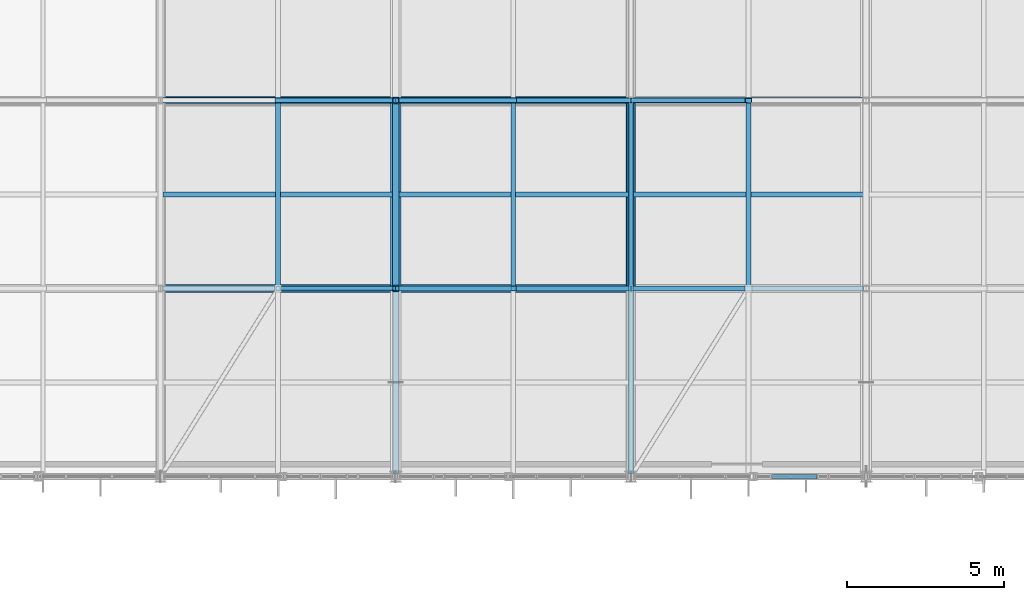
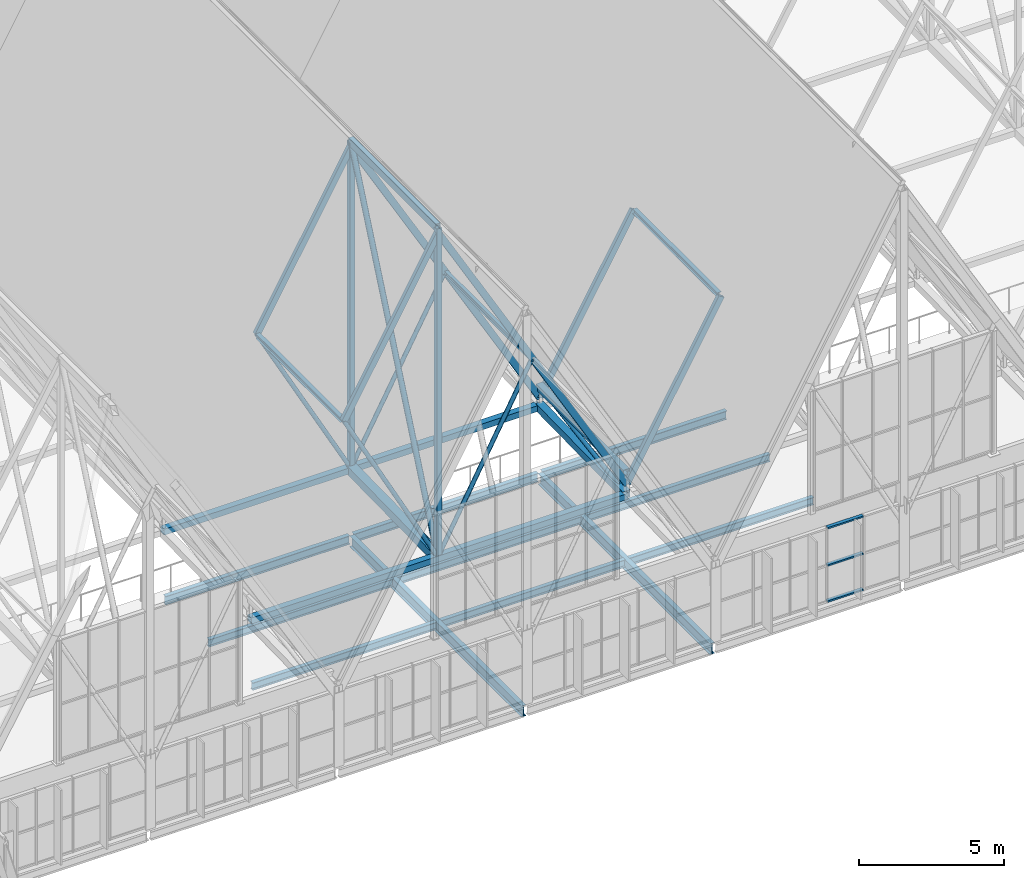
# One storey, part 126 of 324: 25 members, 14 beams, 1 element without a shape of its own.
"""IFC4 building model written with IfcOpenShell, lengths in metres."""

import ifcopenshell
import ifcopenshell.guid

model = None  # the IFC model being written
_history = None  # IfcOwnerHistory: only IFC2X3 demands one
_inside = {}  # id of a spatial element -> (the spatial element, [elements in it])
_under = {}  # id of a project, library or spatial element -> (it, [spatial elements below it])
_declared = {}  # id of a project -> (the project, [libraries it declares])
_typed = {}  # id of a type object -> (the type object, [elements of that type])
_made_of = {}  # id of a material, layer set ... -> (it, [elements and type objects made of it])


def new_model(schema):
    """Start an empty IFC model of exactly this schema.

    Asked for "IFC4X3", IfcOpenShell would pick the latest addendum, in which some entities
    have other attributes; the version numbers below select the first issue.
    IFC2X3 requires an IfcOwnerHistory on every rooted entity: one is made here for all.
    """
    global model, _history
    if schema == "IFC4X3":
        model = ifcopenshell.file(schema_version=(4, 3, 0, 0))
    else:
        model = ifcopenshell.file(schema=schema)
    _inside.clear()
    _under.clear()
    _declared.clear()
    _typed.clear()
    _made_of.clear()
    _history = None
    if model.schema == "IFC2X3":
        org = make("IfcOrganization", Name="unknown")
        user = make(
            "IfcPersonAndOrganization",
            ThePerson=make("IfcPerson", FamilyName="unknown"),
            TheOrganization=org,
        )
        app = make(
            "IfcApplication",
            ApplicationDeveloper=org,
            Version="unknown",
            ApplicationFullName="unknown",
            ApplicationIdentifier="unknown",
        )
        _history = make(
            "IfcOwnerHistory",
            OwningUser=user,
            OwningApplication=app,
            ChangeAction="ADDED",
            CreationDate=0,
        )
    return model


def make(cls, **values):
    """One entity of the class cls with the attributes given. An attribute that is None is left unset."""
    return model.create_entity(
        cls, **{name: value for name, value in values.items() if value is not None}
    )


def rooted(cls, **values):
    """An entity with a GlobalId (a new one), such as an element, a storey or a relation."""
    return make(cls, GlobalId=ifcopenshell.guid.new(), OwnerHistory=_history, **values)


def si_unit(unit_type, name, prefix=None):
    """IfcSIUnit, for example si_unit("LENGTHUNIT", "METRE", prefix="MILLI")."""
    return make("IfcSIUnit", UnitType=unit_type, Prefix=prefix, Name=name)


def assignment(units):
    """IfcUnitAssignment: the units of a project."""
    return None if units is None else make("IfcUnitAssignment", Units=units)


def point(xyz):
    """IfcCartesianPoint."""
    return None if xyz is None else make("IfcCartesianPoint", Coordinates=xyz)


def direction(xyz):
    """IfcDirection."""
    return None if xyz is None else make("IfcDirection", DirectionRatios=xyz)


def frame(location, z_axis=None, x_axis=None):
    """IfcAxis2Placement3D, a coordinate frame: its origin and axes. An axis left out is left unset."""
    return make(
        "IfcAxis2Placement3D",
        Location=point(location),
        Axis=direction(z_axis),
        RefDirection=direction(x_axis),
    )


def frame_2d(location, x_axis=None):
    """IfcAxis2Placement2D, a coordinate frame in the plane: its origin and x axis."""
    return make(
        "IfcAxis2Placement2D", Location=point(location), RefDirection=direction(x_axis)
    )


def origin():
    """The frame at (0, 0, 0) with its axes left unset."""
    return frame((0.0, 0.0, 0.0))


def origin_2d():
    """The frame at (0, 0) in the plane with its x axis left unset."""
    return frame_2d((0.0, 0.0))


def place(relative_to, where):
    """IfcLocalPlacement: puts the frame where relative to a parent placement (None: the world)."""
    return make(
        "IfcLocalPlacement", PlacementRelTo=relative_to, RelativePlacement=where
    )


def context(
    kind, dimensions, precision=None, world=None, true_north=None, identifier=None
):
    """IfcGeometricRepresentationContext, for example the 3D "Model" context."""
    return make(
        "IfcGeometricRepresentationContext",
        ContextIdentifier=identifier,
        ContextType=kind,
        CoordinateSpaceDimension=dimensions,
        Precision=precision,
        WorldCoordinateSystem=world,
        TrueNorth=true_north,
    )


def subcontext(parent, identifier, kind, view, scale=None):
    """IfcGeometricRepresentationSubContext, for example "Body" below "Model"."""
    return make(
        "IfcGeometricRepresentationSubContext",
        ContextIdentifier=identifier,
        ContextType=kind,
        ParentContext=parent,
        TargetScale=scale,
        TargetView=view,
    )


def project(units=None, contexts=None):
    """IfcProject with its units and contexts."""
    return rooted(
        "IfcProject",
        Name="project",
        RepresentationContexts=contexts,
        UnitsInContext=assignment(units),
    )


def spatial(cls, under=None, at=None, **own):
    """A site, building, storey or space (cls), placed at a placement, below another one or the project."""
    s = rooted(cls, ObjectPlacement=at, **own)
    if under is not None:
        _under.setdefault(under.id(), (under, []))[1].append(s)
    return s


def profile(cls, at=None, kind="AREA", **sizes):
    """A parametric profile (cls). Its sizes go by their IFC names, for example OverallWidth=200.0."""
    return make(cls, ProfileType=kind, Position=at, **sizes)


def hollow_rectangle(**sizes):
    """IfcRectangleHollowProfileDef."""
    return profile("IfcRectangleHollowProfileDef", **sizes)


def hollow_circle(**sizes):
    """IfcCircleHollowProfileDef."""
    return profile("IfcCircleHollowProfileDef", **sizes)


def i_section(**sizes):
    """IfcIShapeProfileDef."""
    return profile("IfcIShapeProfileDef", **sizes)


def extrude(swept, where, along, depth):
    """IfcExtrudedAreaSolid: the profile swept, set in the frame where, extruded along a direction by depth."""
    return make(
        "IfcExtrudedAreaSolid",
        SweptArea=swept,
        Position=where,
        ExtrudedDirection=direction(along),
        Depth=depth,
    )


def shape(context_of_items, identifier, shape_type, items):
    """IfcShapeRepresentation: the items that make up one representation, for example the "Body"."""
    return make(
        "IfcShapeRepresentation",
        ContextOfItems=context_of_items,
        RepresentationIdentifier=identifier,
        RepresentationType=shape_type,
        Items=items,
    )


def material(Name=None, Category=None):
    """IfcMaterial."""
    return make("IfcMaterial", Name=Name, Category=Category)


def layer(
    of_material, thickness, ventilated=None, Name=None, Category=None, Priority=None
):
    """IfcMaterialLayer: one layer of a wall or slab, of a material (None: an air gap)."""
    return make(
        "IfcMaterialLayer",
        Material=of_material,
        LayerThickness=thickness,
        IsVentilated=ventilated,
        Name=Name,
        Category=Category,
        Priority=Priority,
    )


def layer_set(layers, Name=None):
    """IfcMaterialLayerSet."""
    return make("IfcMaterialLayerSet", MaterialLayers=layers, LayerSetName=Name)


def material_profile(
    of_material, cross_section, Name=None, Category=None, Priority=None
):
    """IfcMaterialProfile: a cross section and its material."""
    return make(
        "IfcMaterialProfile",
        Name=Name,
        Material=of_material,
        Profile=cross_section,
        Priority=Priority,
        Category=Category,
    )


def profile_set(profiles, Name=None, composite=None):
    """IfcMaterialProfileSet."""
    return make(
        "IfcMaterialProfileSet",
        Name=Name,
        MaterialProfiles=profiles,
        CompositeProfile=composite,
    )


def made_of(thing, what):
    """Note that an element or type object is made of a material, layer set ...; save() writes the relation."""
    if what is not None:
        _made_of.setdefault(what.id(), (what, []))[1].append(thing)
    return thing


def type_object(cls, material=None, **own):
    """A type object (cls), such as IfcWallType, which elements share."""
    return made_of(rooted(cls, **own), material)


def element(
    cls,
    number,
    at=None,
    inside=None,
    cuts=None,
    type_object=None,
    material=None,
    context=None,
    identifier="Body",
    shape_type=None,
    held_by="IfcProductDefinitionShape",
    body=None,
    shapes=None,
    **own,
):
    """One element of the class cls, such as IfcWall. Its Tag is "e" and its number.

    at: its placement. inside: the storey or other place that contains it. cuts: it is an
    opening in that element (IfcRelVoidsElement). A single representation is given by context,
    identifier, shape_type and body (its items); several are given by shapes. held_by: the class
    of the entity that holds the representations. save() writes the other relations.
    """
    e = rooted(cls, Tag="e%d" % number, ObjectPlacement=at, **own)
    if body is not None:
        shapes = [shape(context, identifier, shape_type, body)]
    if shapes is not None:
        e.Representation = make(held_by, Representations=shapes)
    if inside is not None:
        _inside.setdefault(inside.id(), (inside, []))[1].append(e)
    if cuts is not None:
        rooted(
            "IfcRelVoidsElement", RelatingBuildingElement=cuts, RelatedOpeningElement=e
        )
    if type_object is not None:
        _typed.setdefault(type_object.id(), (type_object, []))[1].append(e)
    return made_of(e, material)


def aggregate(whole, parts):
    """IfcRelAggregates: a whole, such as a stair, and the parts it consists of."""
    return rooted("IfcRelAggregates", RelatingObject=whole, RelatedObjects=parts)


def save(model, path):
    """Write the relations noted so far, then the file.

    IfcRelAggregates (storeys below a building ...), IfcRelContainedInSpatialStructure (elements
    in a storey), IfcRelDefinesByType, IfcRelAssociatesMaterial and IfcRelDeclares: one each for
    every whole, place, type object, material and project.
    """
    for whole, parts in _under.values():
        aggregate(whole, parts)
    for where, things in _inside.values():
        rooted(
            "IfcRelContainedInSpatialStructure",
            RelatedElements=things,
            RelatingStructure=where,
        )
    for kind, things in _typed.values():
        rooted("IfcRelDefinesByType", RelatedObjects=things, RelatingType=kind)
    for what, things in _made_of.values():
        rooted("IfcRelAssociatesMaterial", RelatedObjects=things, RelatingMaterial=what)
    for by, libraries in _declared.values():
        rooted("IfcRelDeclares", RelatingContext=by, RelatedDefinitions=libraries)
    model.write(path)


model = new_model("IFC4")

# Units and contexts
model_context = context("Model", 3, precision=1e-05, world=origin(), true_north=direction((0.0, 1.0)))
body_context = subcontext(model_context, "Body", "Model", "MODEL_VIEW")
ifc_project = project(units=[si_unit("LENGTHUNIT", "METRE"), si_unit("AREAUNIT", "SQUARE_METRE"), si_unit("VOLUMEUNIT", "CUBIC_METRE"), si_unit("PLANEANGLEUNIT", "RADIAN"), si_unit("MASSUNIT", "GRAM", prefix="KILO")], contexts=[model_context])

# Site, building, storey
site_placement = place(None, origin())
site = spatial("IfcSite", under=ifc_project, at=site_placement, CompositionType="ELEMENT")
building_placement = place(site_placement, origin())
building = spatial("IfcBuilding", under=site, at=building_placement, Name="Solvenia Promenade Tram Depot", CompositionType="ELEMENT")
storey_placement = place(building_placement, frame((0.0, 0.0, 4.5)))
storey = spatial("IfcBuildingStorey", under=building, at=storey_placement, Name="L01", CompositionType="ELEMENT", Elevation=4.5)

# Beams
ifc_material_1 = material(Name="Structural steel ASTM A992 Gr. 50", Category="steel")
ifc_material_profile_1 = material_profile(ifc_material_1, i_section(OverallWidth=0.19091796875, OverallDepth=0.4599609375, WebThickness=0.010009765625, FlangeThickness=0.01611328125, FilletRadius=0.012939453125, at=origin_2d()), Name="W460x82", Category="steel")
ifc_profile_set_1 = profile_set([ifc_material_profile_1], Name="Structural steel ASTM A992 Gr. 50")
beam_type_1 = type_object("IfcBeamType", Name="Beam-W460x82", PredefinedType="BEAM", material=ifc_profile_set_1)
for number, where, z_axis, x_axis, name in (
    (1, (67.5, 66.0849609375, -0.449951171875), (0.0, 1.0, 0.0), (-1.0, 0.0, 0.0), "Transverse Girder BM-L01-0050"),
    (2, (75.0, 66.0849609375, -0.449951171875), (0.0, 1.0, 0.0), (-1.0, 0.0, 0.0), "Transverse Girder BM-L01-0051"),
):
    element("IfcBeam", number, at=place(storey_placement, frame(where, z_axis=z_axis, x_axis=x_axis)), inside=storey, type_object=beam_type_1, Name=name, PredefinedType="BEAM", context=body_context, shape_type="SweptSolid", body=[
        extrude(i_section(OverallWidth=0.19091796875, OverallDepth=0.4599609375, WebThickness=0.010009765625, FlangeThickness=0.01611328125, FilletRadius=0.012939453125, at=origin_2d()), origin(), (0.0, 0.0, 1.0), 11.830078125),
    ])

# Member
ifc_material_2 = material(Name="Structural steel ASTM A500 Gr. C", Category="steel")
ifc_material_profile_2 = material_profile(ifc_material_2, hollow_circle(Radius=0.109619140625, WallThickness=0.008056640625, at=origin_2d()), Name="CHS219.1x8", Category="steel")
ifc_profile_set_2 = profile_set([ifc_material_profile_2], Name="Structural steel ASTM A500 Gr. C")
member_type_1 = type_object("IfcMemberType", Name="Brace-CHS219x8", PredefinedType="BRACE", material=ifc_profile_set_2)
member_1_placement = place(storey_placement, frame((67.5, 72.0, 2.446044921875), z_axis=(0.0, 0.396934686746, 0.917846857846), x_axis=(-1.0, 0.0, 0.0)))
element("IfcMember", 3, at=member_1_placement, inside=storey, type_object=member_type_1, Name="Arched Truss T10 Web Diagonal S02", PredefinedType="BRACE", context=body_context, shape_type="SweptSolid", body=[
    extrude(hollow_circle(Radius=0.109619140625, WallThickness=0.008056640625, at=origin_2d()), origin(), (0.0, 0.0, 1.0), 15.11572265625),
])

# Curtain wall, members
ifc_material_3 = material(Name="Anodized aluminium AW-6063 T6", Category="aluminium")
ifc_layer = layer(ifc_material_3, 0.159912109375, Name="Anodized aluminium AW-6063 T6", Category="aluminium")
ifc_layer_set = layer_set([ifc_layer], Name="Anodized aluminium AW-6063 T6")
curtain_wall_type = type_object("IfcCurtainWallType", Name="CW-Channel-1500", PredefinedType="NOTDEFINED", material=ifc_layer_set)
curtain_wall_placement = place(storey_placement, origin())
curtain_wall = element("IfcCurtainWall", 4, at=curtain_wall_placement, inside=storey, type_object=curtain_wall_type, Name="Curtain Wall CW-V1S1-05", PredefinedType="NOTDEFINED")
ifc_material_profile_3 = material_profile(ifc_material_3, hollow_rectangle(XDim=0.139892578125, YDim=0.06494140625, WallThickness=0.00390625, at=origin_2d()), Name="ALU-T2", Category="aluminium")
ifc_profile_set_3 = profile_set([ifc_material_profile_3], Name="Anodized aluminium AW-6063 T6")
member_type_2 = type_object("IfcMemberType", Name="CWT-Transom-2", PredefinedType="USERDEFINED", material=ifc_profile_set_3)
member_2_placement = place(storey_placement, frame((79.509033203125, 66.0, 0.032470703125), z_axis=(1.0, 0.0, 0.0), x_axis=(0.0, 1.0, 0.0)))
member_2 = element("IfcMember", 5, at=member_2_placement, type_object=member_type_2, Name="CW-2 transom 4.1", ObjectType="TRANSOM", PredefinedType="USERDEFINED", context=body_context, shape_type="SweptSolid", body=[
    extrude(hollow_rectangle(XDim=0.139892578125, YDim=0.06494140625, WallThickness=0.00390625, at=origin_2d()), origin(), (0.0, 0.0, 1.0), 1.41796875),
])
member_3_placement = place(storey_placement, frame((79.509033203125, 66.0, 1.550048828125), z_axis=(1.0, 0.0, 0.0), x_axis=(0.0, 1.0, 0.0)))
member_3 = element("IfcMember", 6, at=member_3_placement, type_object=member_type_2, Name="CW-2 transom 4.2", ObjectType="TRANSOM", PredefinedType="USERDEFINED", context=body_context, shape_type="SweptSolid", body=[
    extrude(hollow_rectangle(XDim=0.139892578125, YDim=0.06494140625, WallThickness=0.00390625, at=origin_2d()), origin(), (0.0, 0.0, 1.0), 1.41796875),
])
member_4_placement = place(storey_placement, frame((79.509033203125, 66.0, 3.117431640625), z_axis=(1.0, 0.0, 0.0), x_axis=(0.0, 1.0, 0.0)))
member_4 = element("IfcMember", 7, at=member_4_placement, type_object=member_type_2, Name="CW-2 transom 4.3", ObjectType="TRANSOM", PredefinedType="USERDEFINED", context=body_context, shape_type="SweptSolid", body=[
    extrude(hollow_rectangle(XDim=0.139892578125, YDim=0.06494140625, WallThickness=0.00390625, at=origin_2d()), origin(), (0.0, 0.0, 1.0), 1.41796875),
])
aggregate(curtain_wall, [member_2, member_3, member_4])

# Members
ifc_material_profile_4 = material_profile(ifc_material_2, hollow_rectangle(XDim=0.14990234375, YDim=0.25, WallThickness=0.010009765625, at=origin_2d()), Name="HSS250x150x10", Category="steel")
ifc_profile_set_4 = profile_set([ifc_material_profile_4], Name="Structural steel ASTM A500 Gr. C")
member_type_3 = type_object("IfcMemberType", Name="Chord-HSS250x150x10", PredefinedType="CHORD", material=ifc_profile_set_4)
for number, where, z_axis, x_axis, name in (
    (8, (63.75, 72.0, 9.501220703125), (0.494861595532, 0.0, 0.868971806946), (0.0, 1.0, 0.0), "Zigzag Gable 05 West Upper Rafter"),
    (9, (67.5, 72.0, 16.086181640625), (0.494861595532, 0.0, -0.868971806946), (0.0, 1.0, 0.0), "Zigzag Gable 05 East Upper Rafter"),
    (10, (71.25, 72.0, 9.501220703125), (0.494861595532, 0.0, -0.868971806946), (0.0, 1.0, 0.0), "Zigzag Gable 05 East Lower Rafter"),
    (11, (63.75, 78.0, 9.501220703125), (0.494861595532, 0.0, 0.868971806946), (0.0, 1.0, 0.0), "Zigzag Gable 05 West Upper Rafter"),
    (12, (67.5, 78.0, 16.086181640625), (0.494861595532, 0.0, -0.868971806946), (0.0, 1.0, 0.0), "Zigzag Gable 05 East Upper Rafter"),
    (13, (71.25, 78.0, 9.501220703125), (0.494861595532, 0.0, -0.868971806946), (0.0, 1.0, 0.0), "Zigzag Gable 05 East Lower Rafter"),
    (14, (75.0, 72.0, 2.916259765625), (0.494861595532, 0.0, 0.868971806946), (0.0, 1.0, 0.0), "Zigzag Gable 06 West Lower Rafter"),
    (15, (75.0, 78.0, 2.916259765625), (0.494861595532, 0.0, 0.868971806946), (0.0, 1.0, 0.0), "Zigzag Gable 06 West Lower Rafter"),
):
    element("IfcMember", number, at=place(storey_placement, frame(where, z_axis=z_axis, x_axis=x_axis)), inside=storey, type_object=member_type_3, Name=name, PredefinedType="CHORD", context=body_context, shape_type="SweptSolid", body=[
        extrude(hollow_rectangle(XDim=0.14990234375, YDim=0.25, WallThickness=0.010009765625, at=origin_2d()), origin(), (0.0, 0.0, 1.0), 7.577880859375),
    ])
ifc_material_profile_5 = material_profile(ifc_material_2, hollow_rectangle(XDim=0.25, YDim=0.25, WallThickness=0.010009765625, at=origin_2d()), Name="HSS250x250x10", Category="steel")
ifc_profile_set_5 = profile_set([ifc_material_profile_5], Name="Structural steel ASTM A500 Gr. C")
member_type_4 = type_object("IfcMemberType", Name="Chord-HSS250x250x10", PredefinedType="CHORD", material=ifc_profile_set_5)
member_5_placement = place(storey_placement, frame((75.0, 72.0, 3.3798828125), z_axis=(0.0, 1.0, 0.0), x_axis=(-1.0, 0.0, 0.0)))
element("IfcMember", 16, at=member_5_placement, inside=storey, type_object=member_type_4, Name="Arched Truss T11 Upper Chord S02", PredefinedType="CHORD", context=body_context, shape_type="SweptSolid", body=[
    extrude(hollow_rectangle(XDim=0.25, YDim=0.25, WallThickness=0.010009765625, at=origin_2d()), origin(), (0.0, 0.0, 1.0), 6.0),
])
for number, where, z_axis, x_axis, name in (
    (17, (60.0, 72.0, 2.446044921875), (1.0, 0.0, 0.0), (0.0, 1.0, 0.0), "Bottom-Chord Catenary Lateral Tie 037"),
    (18, (60.0, 78.0, 2.5439453125), (1.0, 0.0, 0.0), (0.0, 1.0, 0.0), "Bottom-Chord Catenary Lateral Tie 038"),
):
    element("IfcMember", number, at=place(storey_placement, frame(where, z_axis=z_axis, x_axis=x_axis)), inside=storey, type_object=member_type_4, Name=name, PredefinedType="CHORD", context=body_context, shape_type="SweptSolid", body=[
        extrude(hollow_rectangle(XDim=0.25, YDim=0.25, WallThickness=0.010009765625, at=origin_2d()), origin(), (0.0, 0.0, 1.0), 15.0),
    ])
ifc_material_profile_6 = material_profile(ifc_material_2, hollow_rectangle(XDim=0.199951171875, YDim=0.300048828125, WallThickness=0.012451171875, at=origin_2d()), Name="HSS300x200x12.5", Category="steel")
ifc_profile_set_6 = profile_set([ifc_material_profile_6], Name="Structural steel ASTM A500 Gr. C")
member_type_5 = type_object("IfcMemberType", Name="Chord-HSS300x200x12", PredefinedType="CHORD", material=ifc_profile_set_6)
member_6_placement = place(storey_placement, frame((67.5, 72.0, 16.320068359375), z_axis=(0.0, 1.0, 0.0), x_axis=(-1.0, 0.0, 0.0)))
element("IfcMember", 19, at=member_6_placement, inside=storey, type_object=member_type_5, Name="Arched Truss T10 Upper Chord S02", PredefinedType="CHORD", context=body_context, shape_type="SweptSolid", body=[
    extrude(hollow_rectangle(XDim=0.199951171875, YDim=0.300048828125, WallThickness=0.012451171875, at=origin_2d()), origin(), (0.0, 0.0, 1.0), 6.0),
])
ifc_material_profile_7 = material_profile(ifc_material_2, hollow_rectangle(XDim=0.300048828125, YDim=0.300048828125, WallThickness=0.012451171875, at=origin_2d()), Name="HSS300x300x12.5", Category="steel")
ifc_profile_set_7 = profile_set([ifc_material_profile_7], Name="Structural steel ASTM A500 Gr. C")
member_type_6 = type_object("IfcMemberType", Name="Chord-HSS300x300x12", PredefinedType="CHORD", material=ifc_profile_set_7)
member_7_placement = place(storey_placement, frame((75.0, 72.0, 2.446044921875), z_axis=(0.0, 0.999866908707, 0.016314560156), x_axis=(-1.0, 0.0, 0.0)))
element("IfcMember", 20, at=member_7_placement, inside=storey, type_object=member_type_6, Name="Arched Truss T11 Bottom Chord S02", PredefinedType="CHORD", context=body_context, shape_type="SweptSolid", body=[
    extrude(hollow_rectangle(XDim=0.300048828125, YDim=0.300048828125, WallThickness=0.012451171875, at=origin_2d()), origin(), (0.0, 0.0, 1.0), 6.000732421875),
])
ifc_material_profile_8 = material_profile(ifc_material_2, hollow_rectangle(XDim=0.35009765625, YDim=0.35009765625, WallThickness=0.01611328125, at=origin_2d()), Name="HSS350x350x16", Category="steel")
ifc_profile_set_8 = profile_set([ifc_material_profile_8], Name="Structural steel ASTM A500 Gr. C")
member_type_7 = type_object("IfcMemberType", Name="Chord-HSS350x350x16", PredefinedType="CHORD", material=ifc_profile_set_8)
member_8_placement = place(storey_placement, frame((67.5, 72.0, 2.446044921875), z_axis=(0.0, 0.999866908707, 0.016314560156), x_axis=(-1.0, 0.0, 0.0)))
element("IfcMember", 21, at=member_8_placement, inside=storey, type_object=member_type_7, Name="Arched Truss T10 Bottom Chord S02", PredefinedType="CHORD", context=body_context, shape_type="SweptSolid", body=[
    extrude(hollow_rectangle(XDim=0.35009765625, YDim=0.35009765625, WallThickness=0.01611328125, at=origin_2d()), origin(), (0.0, 0.0, 1.0), 6.000732421875),
])

# Beams
ifc_material_profile_9 = material_profile(ifc_material_1, i_section(OverallWidth=0.166015625, OverallDepth=0.31298828125, WebThickness=0.006591796875, FlangeThickness=0.01123046875, FilletRadius=0.010009765625, at=origin_2d()), Name="W310x45", Category="steel")
ifc_profile_set_9 = profile_set([ifc_material_profile_9], Name="Structural steel ASTM A992 Gr. 50")
beam_type_2 = type_object("IfcBeamType", Name="Joist-W310x45", PredefinedType="JOIST", material=ifc_profile_set_9)
for number, where, z_axis, x_axis, name in (
    (22, (60.0849609375, 72.0, -0.37646484375), (1.0, 0.0, 0.0), (0.0, 1.0, 0.0), "Secondary Floor Joist BM-L01-0086"),
    (23, (60.0849609375, 75.0, -0.37646484375), (1.0, 0.0, 0.0), (0.0, 1.0, 0.0), "Secondary Floor Joist BM-L01-0087"),
    (24, (67.5849609375, 72.0, -0.37646484375), (1.0, 0.0, 0.0), (0.0, 1.0, 0.0), "Secondary Floor Joist BM-L01-0089"),
    (25, (67.5849609375, 75.0, -0.37646484375), (1.0, 0.0, 0.0), (0.0, 1.0, 0.0), "Secondary Floor Joist BM-L01-0090"),
    (26, (75.0849609375, 72.0, -0.37646484375), (1.0, 0.0, 0.0), (0.0, 1.0, 0.0), "Secondary Floor Joist BM-L01-0092"),
    (27, (75.0849609375, 75.0, -0.37646484375), (1.0, 0.0, 0.0), (0.0, 1.0, 0.0), "Secondary Floor Joist BM-L01-0093"),
):
    element("IfcBeam", number, at=place(storey_placement, frame(where, z_axis=z_axis, x_axis=x_axis)), inside=storey, type_object=beam_type_2, Name=name, PredefinedType="JOIST", context=body_context, shape_type="SweptSolid", body=[
        extrude(i_section(OverallWidth=0.166015625, OverallDepth=0.31298828125, WebThickness=0.006591796875, FlangeThickness=0.01123046875, FilletRadius=0.010009765625, at=origin_2d()), origin(), (0.0, 0.0, 1.0), 7.330078125),
    ])

# Members
ifc_material_profile_10 = material_profile(ifc_material_2, hollow_rectangle(XDim=0.199951171875, YDim=0.199951171875, WallThickness=0.010009765625, at=origin_2d()), Name="HSS200x200x10", Category="steel")
ifc_profile_set_10 = profile_set([ifc_material_profile_10], Name="Structural steel ASTM A500 Gr. C")
member_type_8 = type_object("IfcMemberType", Name="Post-HSS200x200x10", PredefinedType="POST", material=ifc_profile_set_10)
member_9_placement = place(storey_placement, frame((67.5, 72.0, 2.446044921875), z_axis=(0.0, 0.0, 1.0), x_axis=(1.0, 0.0, 0.0)))
element("IfcMember", 28, at=member_9_placement, inside=storey, type_object=member_type_8, Name="Arched Truss T10 Web Post S01", PredefinedType="POST", context=body_context, shape_type="SweptSolid", body=[
    extrude(hollow_rectangle(XDim=0.199951171875, YDim=0.199951171875, WallThickness=0.010009765625, at=origin_2d()), origin(), (0.0, 0.0, 1.0), 13.8740234375),
])
member_10_placement = place(storey_placement, frame((67.5, 78.0, 2.5439453125), z_axis=(0.0, 0.0, 1.0), x_axis=(1.0, 0.0, 0.0)))
element("IfcMember", 29, at=member_10_placement, inside=storey, type_object=member_type_8, Name="Arched Truss T10 Web Post S02", PredefinedType="POST", context=body_context, shape_type="SweptSolid", body=[
    extrude(hollow_rectangle(XDim=0.199951171875, YDim=0.199951171875, WallThickness=0.010009765625, at=origin_2d()), origin(), (0.0, 0.0, 1.0), 13.776123046875),
])

# Beams
ifc_material_profile_11 = material_profile(ifc_material_1, i_section(OverallWidth=0.133056640625, OverallDepth=0.20703125, WebThickness=0.005859375, FlangeThickness=0.00830078125, FilletRadius=0.009033203125, at=origin_2d()), Name="W200x27", Category="steel")
ifc_profile_set_11 = profile_set([ifc_material_profile_11], Name="Structural steel ASTM A992 Gr. 50")
beam_type_3 = type_object("IfcBeamType", Name="Purlin-W200x27", PredefinedType="USERDEFINED", material=ifc_profile_set_11)
beam_placement = place(storey_placement, frame((71.25, 72.0849609375, 9.484130859375), z_axis=(0.0, 1.0, 0.0), x_axis=(-1.0, 0.0, 0.0)))
element("IfcBeam", 30, at=beam_placement, inside=storey, type_object=beam_type_3, Name="Gable Roof Purlin E-0084", ObjectType="PURLIN", PredefinedType="USERDEFINED", context=body_context, shape_type="SweptSolid", body=[
    extrude(i_section(OverallWidth=0.133056640625, OverallDepth=0.20703125, WebThickness=0.005859375, FlangeThickness=0.00830078125, FilletRadius=0.009033203125, at=origin_2d()), origin(), (0.0, 0.0, 1.0), 5.830078125),
])
ifc_material_profile_12 = material_profile(ifc_material_1, i_section(OverallWidth=0.1650390625, OverallDepth=0.200927734375, WebThickness=0.006103515625, FlangeThickness=0.01025390625, FilletRadius=0.010009765625, at=origin_2d()), Name="W200x36", Category="steel")
ifc_profile_set_12 = profile_set([ifc_material_profile_12], Name="Structural steel ASTM A992 Gr. 50")
beam_type_4 = type_object("IfcBeamType", Name="Purlin-W200x36", PredefinedType="USERDEFINED", material=ifc_profile_set_12)
for number, where, z_axis, x_axis, name in (
    (31, (63.75, 72.0849609375, 9.484130859375), (0.0, 1.0, 0.0), (-1.0, 0.0, 0.0), "Gable Roof Purlin W-0083"),
    (32, (78.75, 72.0849609375, 9.484130859375), (0.0, 1.0, 0.0), (-1.0, 0.0, 0.0), "Gable Roof Purlin W-0103"),
):
    element("IfcBeam", number, at=place(storey_placement, frame(where, z_axis=z_axis, x_axis=x_axis)), inside=storey, type_object=beam_type_4, Name=name, ObjectType="PURLIN", PredefinedType="USERDEFINED", context=body_context, shape_type="SweptSolid", body=[
        extrude(i_section(OverallWidth=0.1650390625, OverallDepth=0.200927734375, WebThickness=0.006103515625, FlangeThickness=0.01025390625, FilletRadius=0.010009765625, at=origin_2d()), origin(), (0.0, 0.0, 1.0), 5.830078125),
    ])
ifc_material_profile_13 = material_profile(ifc_material_1, i_section(OverallWidth=0.172119140625, OverallDepth=0.35791015625, WebThickness=0.0078125, FlangeThickness=0.01318359375, FilletRadius=0.010986328125, at=origin_2d()), Name="W360x57", Category="steel")
ifc_profile_set_13 = profile_set([ifc_material_profile_13], Name="Structural steel ASTM A992 Gr. 50")
beam_type_5 = type_object("IfcBeamType", Name="Spandrel-W360x57", PredefinedType="SPANDREL", material=ifc_profile_set_13)
for number, where, z_axis, x_axis, name in (
    (33, (60.0849609375, 78.0, -0.39892578125), (1.0, 0.0, 0.0), (0.0, 1.0, 0.0), "Perimeter Spandrel BM-L01-0029"),
    (34, (67.5849609375, 78.0, -0.39892578125), (1.0, 0.0, 0.0), (0.0, 1.0, 0.0), "Perimeter Spandrel BM-L01-0030"),
    (35, (75.0849609375, 78.0, -0.39892578125), (1.0, 0.0, 0.0), (0.0, 1.0, 0.0), "Perimeter Spandrel BM-L01-0031"),
):
    element("IfcBeam", number, at=place(storey_placement, frame(where, z_axis=z_axis, x_axis=x_axis)), inside=storey, type_object=beam_type_5, Name=name, PredefinedType="SPANDREL", context=body_context, shape_type="SweptSolid", body=[
        extrude(i_section(OverallWidth=0.172119140625, OverallDepth=0.35791015625, WebThickness=0.0078125, FlangeThickness=0.01318359375, FilletRadius=0.010986328125, at=origin_2d()), origin(), (0.0, 0.0, 1.0), 7.330078125),
    ])

# Members
ifc_material_profile_14 = material_profile(ifc_material_2, hollow_circle(Radius=0.084228515625, WallThickness=0.008056640625, at=origin_2d()), Name="CHS168.3x8", Category="steel")
ifc_profile_set_14 = profile_set([ifc_material_profile_14], Name="Structural steel ASTM A500 Gr. C")
member_type_9 = type_object("IfcMemberType", Name="WebDiag-CHS168x8", PredefinedType="BRACE", material=ifc_profile_set_14)
member_11_placement = place(storey_placement, frame((75.0, 72.0, 2.446044921875), z_axis=(0.0, 0.9881038455, 0.153788135133), x_axis=(-1.0, 0.0, 0.0)))
element("IfcMember", 36, at=member_11_placement, inside=storey, type_object=member_type_9, Name="Arched Truss T11 Web Diagonal S02", PredefinedType="BRACE", context=body_context, shape_type="SweptSolid", body=[
    extrude(hollow_circle(Radius=0.084228515625, WallThickness=0.008056640625, at=origin_2d()), origin(), (0.0, 0.0, 1.0), 6.072265625),
])
for number, where, z_axis, x_axis, name in (
    (37, (67.5, 72.0, 2.446044921875), (-0.469344370871, 0.0, 0.883015210249), (0.0, -1.0, 0.0), "Zigzag Gable 05 West Knee Strut"),
    (38, (67.5, 72.0, 2.446044921875), (0.469344370871, 0.0, 0.883015210249), (0.0, 1.0, 0.0), "Zigzag Gable 05 East Knee Strut"),
):
    element("IfcMember", number, at=place(storey_placement, frame(where, z_axis=z_axis, x_axis=x_axis)), inside=storey, type_object=member_type_9, Name=name, PredefinedType="BRACE", context=body_context, shape_type="SweptSolid", body=[
        extrude(hollow_circle(Radius=0.084228515625, WallThickness=0.008056640625, at=origin_2d()), origin(), (0.0, 0.0, 1.0), 7.989990234375),
    ])
for number, where, z_axis, x_axis, name in (
    (39, (67.5, 78.0, 2.5439453125), (-0.47447003574, 0.0, 0.880271654198), (0.0, -1.0, 0.0), "Zigzag Gable 05 West Knee Strut"),
    (40, (67.5, 78.0, 2.5439453125), (0.47447003574, 0.0, 0.880271654198), (0.0, 1.0, 0.0), "Zigzag Gable 05 East Knee Strut"),
):
    element("IfcMember", number, at=place(storey_placement, frame(where, z_axis=z_axis, x_axis=x_axis)), inside=storey, type_object=member_type_9, Name=name, PredefinedType="BRACE", context=body_context, shape_type="SweptSolid", body=[
        extrude(hollow_circle(Radius=0.084228515625, WallThickness=0.008056640625, at=origin_2d()), origin(), (0.0, 0.0, 1.0), 7.903564453125),
    ])

save(model, "model.ifc")
